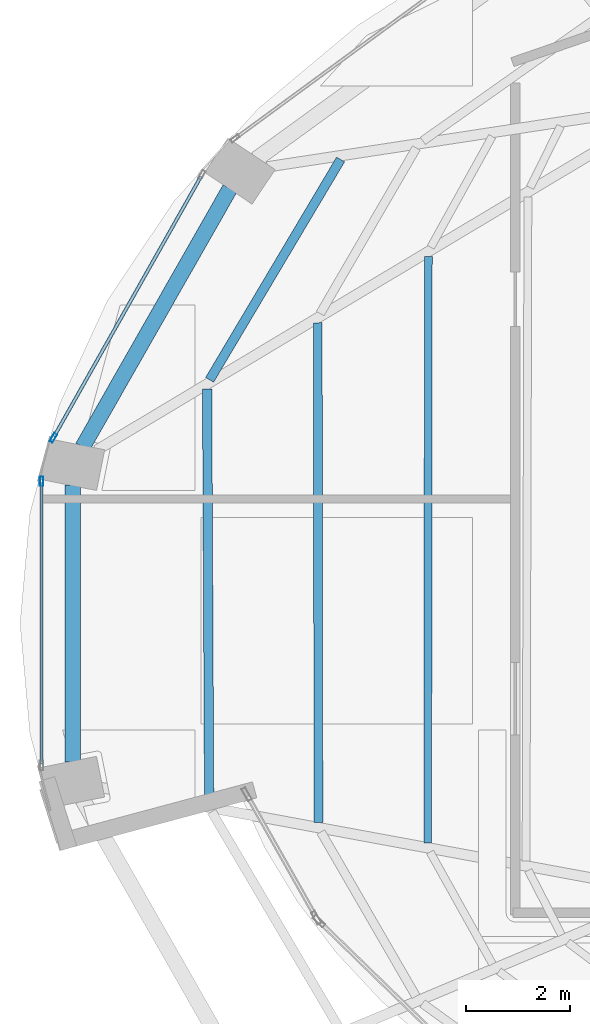
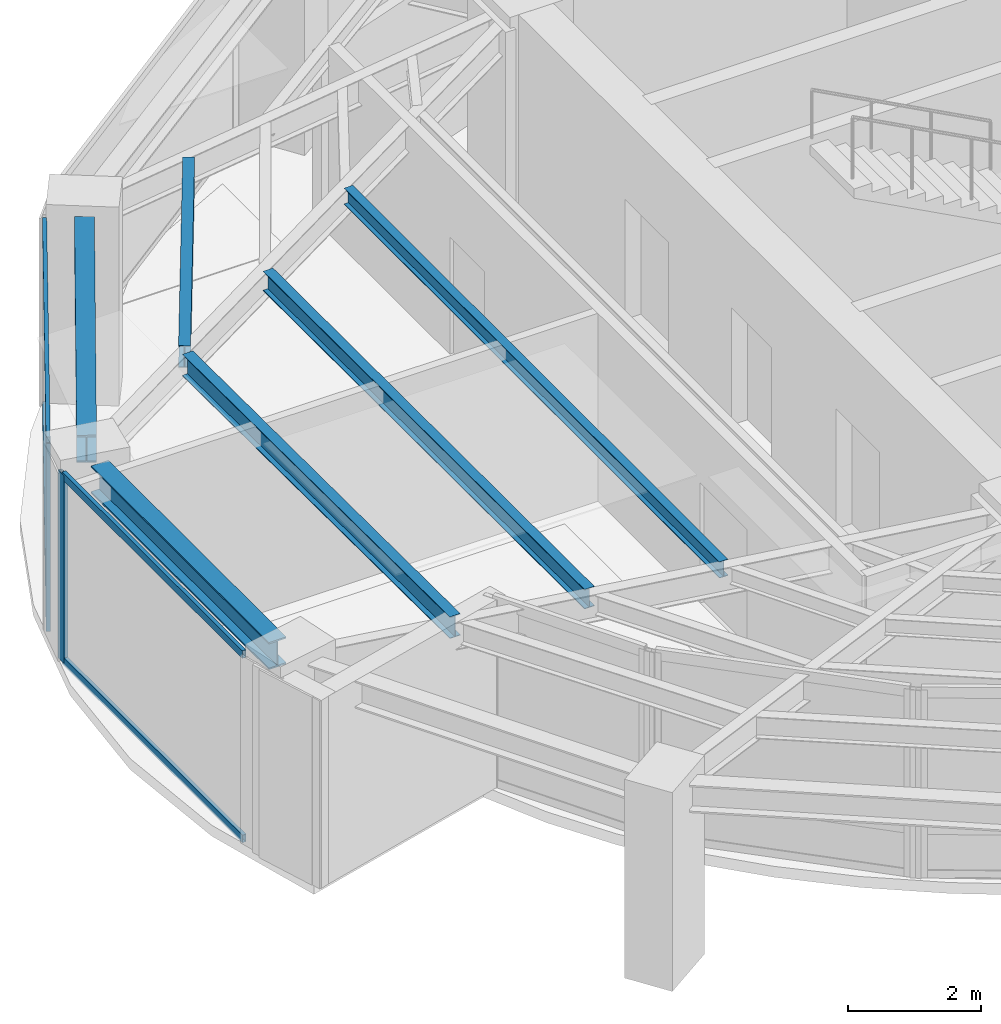
# One storey, part 7 of 22: 6 beams, 6 members, 2 elements without a shape of their own.
"""IFC4 building model written with IfcOpenShell, lengths in metres."""

from ifc_helpers import new_model, si_unit, direction, frame, origin, origin_2d, place, context, subcontext, project, spatial, hollow_rectangle, i_section, extrude, material, layer, layer_set, material_profile, profile_set, type_object, element, aggregate, save


model = new_model("IFC4")

# Units and contexts
model_context = context("Model", 3, precision=1e-05, world=origin(), true_north=direction((0.0, 1.0)))
body_context = subcontext(model_context, "Body", "Model", "MODEL_VIEW")
ifc_project = project(units=[si_unit("LENGTHUNIT", "METRE"), si_unit("AREAUNIT", "SQUARE_METRE"), si_unit("VOLUMEUNIT", "CUBIC_METRE"), si_unit("PLANEANGLEUNIT", "RADIAN"), si_unit("MASSUNIT", "GRAM", prefix="KILO")], contexts=[model_context])

# Site, building, storey
site_placement = place(None, origin())
site = spatial("IfcSite", under=ifc_project, at=site_placement, CompositionType="ELEMENT")
building_placement = place(site_placement, origin())
building = spatial("IfcBuilding", under=site, at=building_placement, Name="Lazwardi Medical Tower", CompositionType="ELEMENT")
storey_placement = place(building_placement, frame((0.0, 0.0, 224.01611328125)))
storey = spatial("IfcBuildingStorey", under=building, at=storey_placement, Name="L58", CompositionType="ELEMENT", Elevation=224.01611328125)

# Beams
ifc_material_1 = material(Name="Steel S355", Category="steel")
ifc_material_profile_1 = material_profile(ifc_material_1, i_section(OverallWidth=0.300048828125, OverallDepth=0.5, WebThickness=0.014404296875, FlangeThickness=0.028076171875, at=origin_2d()), Name="HEB 500")
ifc_profile_set_1 = profile_set([ifc_material_profile_1], Name="Steel S355")
beam_type_1 = type_object("IfcBeamType", Name="BM-RB-Z4", PredefinedType="BEAM", material=ifc_profile_set_1)
beam_1_placement = place(storey_placement, frame((17.84716796875, 33.983642578125, 3.197998046875), z_axis=(-0.495125273299, -0.868821594886, 0.0), x_axis=(0.868821594886, -0.495125273299, 0.0)))
element("IfcBeam", 1, at=beam_1_placement, inside=storey, type_object=beam_type_1, Name="Ring beam RB-05 B11 L58", PredefinedType="BEAM", context=body_context, shape_type="SweptSolid", body=[
    extrude(i_section(OverallWidth=0.300048828125, OverallDepth=0.5, WebThickness=0.014404296875, FlangeThickness=0.028076171875, at=origin_2d()), origin(), (0.0, 0.0, 1.0), 5.734130859375),
])
beam_2_placement = place(storey_placement, frame((14.81494140625, 28.27294921875, 3.197998046875), z_axis=(0.0, -1.0, 0.0), x_axis=(1.0, 0.0, 0.0)))
element("IfcBeam", 2, at=beam_2_placement, inside=storey, type_object=beam_type_1, Name="Ring beam RB-05 B12 L58", PredefinedType="BEAM", context=body_context, shape_type="SweptSolid", body=[
    extrude(i_section(OverallWidth=0.300048828125, OverallDepth=0.5, WebThickness=0.014404296875, FlangeThickness=0.028076171875, at=origin_2d()), origin(), (0.0, 0.0, 1.0), 5.345947265625),
])
ifc_material_profile_2 = material_profile(ifc_material_1, i_section(OverallWidth=0.179931640625, OverallDepth=0.39990234375, WebThickness=0.008544921875, FlangeThickness=0.013427734375, at=origin_2d()), Name="IPE 400")
ifc_profile_set_2 = profile_set([ifc_material_profile_2], Name="Steel S355")
beam_type_2 = type_object("IfcBeamType", Name="BM-SJ-01", PredefinedType="JOIST", material=ifc_profile_set_2)
beam_3_placement = place(storey_placement, frame((19.98095703125, 34.544921875, 3.247802734375), z_axis=(-0.510967866251, -0.859599813668, 0.0), x_axis=(0.859599813668, -0.510967866251, 0.0)))
element("IfcBeam", 3, at=beam_3_placement, inside=storey, type_object=beam_type_2, Name="Secondary joist SJ-01 R1 B11 L58", PredefinedType="JOIST", context=body_context, shape_type="SweptSolid", body=[
    extrude(i_section(OverallWidth=0.179931640625, OverallDepth=0.39990234375, WebThickness=0.008544921875, FlangeThickness=0.013427734375, at=origin_2d()), origin(), (0.0, 0.0, 1.0), 4.94189453125),
])
beam_4_placement = place(storey_placement, frame((17.407958984375, 30.120361328125, 3.247802734375), z_axis=(0.004929366644, -0.999987850598, 0.0), x_axis=(0.999987850598, 0.004929366644, 0.0)))
element("IfcBeam", 4, at=beam_4_placement, inside=storey, type_object=beam_type_2, Name="Secondary joist SJ-01 R1 B12 L58", PredefinedType="JOIST", context=body_context, shape_type="SweptSolid", body=[
    extrude(i_section(OverallWidth=0.179931640625, OverallDepth=0.39990234375, WebThickness=0.008544921875, FlangeThickness=0.013427734375, at=origin_2d()), origin(), (0.0, 0.0, 1.0), 7.973876953125),
])
ifc_material_profile_3 = material_profile(ifc_material_1, i_section(OverallWidth=0.169921875, OverallDepth=0.360107421875, WebThickness=0.008056640625, FlangeThickness=0.0126953125, at=origin_2d()), Name="IPE 360")
ifc_profile_set_3 = profile_set([ifc_material_profile_3], Name="Steel S355")
beam_type_3 = type_object("IfcBeamType", Name="BM-SJ-02", PredefinedType="JOIST", material=ifc_profile_set_3)
beam_5_placement = place(storey_placement, frame((19.541015625, 31.397705078125, 3.267822265625), z_axis=(0.001367606673, -0.999999064826, 0.0), x_axis=(0.999999064826, 0.001367606673, 0.0)))
element("IfcBeam", 5, at=beam_5_placement, inside=storey, type_object=beam_type_3, Name="Secondary joist SJ-02 R2 B12 L58", PredefinedType="JOIST", context=body_context, shape_type="SweptSolid", body=[
    extrude(i_section(OverallWidth=0.169921875, OverallDepth=0.360107421875, WebThickness=0.008056640625, FlangeThickness=0.0126953125, at=origin_2d()), origin(), (0.0, 0.0, 1.0), 9.639892578125),
])
ifc_material_profile_4 = material_profile(ifc_material_1, i_section(OverallWidth=0.14990234375, OverallDepth=0.300048828125, WebThickness=0.007080078125, FlangeThickness=0.0107421875, at=origin_2d()), Name="IPE 300")
ifc_profile_set_4 = profile_set([ifc_material_profile_4], Name="Steel S355")
beam_type_4 = type_object("IfcBeamType", Name="BM-SJ-03", PredefinedType="JOIST", material=ifc_profile_set_4)
beam_6_placement = place(storey_placement, frame((21.674072265625, 32.67529296875, 3.2978515625), z_axis=(-0.001166079235, -0.999999320129, 0.0), x_axis=(0.999999320129, -0.001166079235, 0.0)))
element("IfcBeam", 6, at=beam_6_placement, inside=storey, type_object=beam_type_4, Name="Secondary joist SJ-03 R3 B12 L58", PredefinedType="JOIST", context=body_context, shape_type="SweptSolid", body=[
    extrude(i_section(OverallWidth=0.14990234375, OverallDepth=0.300048828125, WebThickness=0.007080078125, FlangeThickness=0.0107421875, at=origin_2d()), origin(), (0.0, 0.0, 1.0), 11.305908203125),
])

# Curtain wall, member
ifc_material_2 = material(Name="Anodised bronze aluminium and solar control glazing", Category="aluminium")
ifc_layer = layer(ifc_material_2, 0.18994140625)
ifc_layer_set = layer_set([ifc_layer], Name="Anodised bronze aluminium and solar control glazing")
curtain_wall_type = type_object("IfcCurtainWallType", Name="CW-SYS-04", PredefinedType="NOTDEFINED", material=ifc_layer_set)
curtain_wall_1_placement = place(storey_placement, origin())
curtain_wall_1 = element("IfcCurtainWall", 7, at=curtain_wall_1_placement, inside=storey, type_object=curtain_wall_type, Name="L58 Unitised bronze curtain wall CW-04", PredefinedType="NOTDEFINED")
ifc_material_3 = material(Name="Anodised bronze aluminium", Category="aluminium")
ifc_material_profile_5 = material_profile(ifc_material_3, hollow_rectangle(XDim=0.06494140625, YDim=0.179931640625, WallThickness=0.00390625, at=origin_2d()), Name="ALU-MULLION 180x65x4")
ifc_profile_set_5 = profile_set([ifc_material_profile_5], Name="Anodised bronze aluminium")
member_type_1 = type_object("IfcMemberType", Name="CW-MUL-03", PredefinedType="MULLION", material=ifc_profile_set_5)
member_1_placement = place(storey_placement, frame((14.442626953125, 29.17822265625, 0.0), z_axis=(0.0, 0.0, 1.0), x_axis=(0.870651436011, -0.491900474661, 0.0)))
member_1 = element("IfcMember", 8, at=member_1_placement, type_object=member_type_1, Name="CW-04 mullion 2", PredefinedType="MULLION", context=body_context, shape_type="SweptSolid", body=[
    extrude(hollow_rectangle(XDim=0.06494140625, YDim=0.179931640625, WallThickness=0.00390625, at=origin_2d()), origin(), (0.0, 0.0, 1.0), 3.447998046875),
])

curtain_wall_2_placement = place(storey_placement, origin())
curtain_wall_2 = element("IfcCurtainWall", 9, at=curtain_wall_2_placement, inside=storey, type_object=curtain_wall_type, Name="L58 Unitised bronze curtain wall CW-04", PredefinedType="NOTDEFINED")
member_2_placement = place(storey_placement, frame((14.2158203125, 28.340576171875, 0.0), z_axis=(0.0, 0.0, 1.0), x_axis=(1.0, 0.0, 0.0)))
member_2 = element("IfcMember", 10, at=member_2_placement, type_object=member_type_1, Name="CW-04 mullion 1", PredefinedType="MULLION", context=body_context, shape_type="SweptSolid", body=[
    extrude(hollow_rectangle(XDim=0.06494140625, YDim=0.179931640625, WallThickness=0.00390625, at=origin_2d()), origin(), (0.0, 0.0, 1.0), 3.447998046875),
])

# Member
ifc_material_profile_6 = material_profile(ifc_material_3, hollow_rectangle(XDim=0.06494140625, YDim=0.139892578125, WallThickness=0.00341796875, at=origin_2d()), Name="ALU-TRANSOM 140x65x3.5")
ifc_profile_set_6 = profile_set([ifc_material_profile_6], Name="Anodised bronze aluminium")
member_type_2 = type_object("IfcMemberType", Name="CW-TRN-03", PredefinedType="USERDEFINED", material=ifc_profile_set_6)
member_3_placement = place(storey_placement, frame((17.28955078125, 34.21728515625, 0.032470703125), z_axis=(-0.491879719484, -0.87066316194, 0.0), x_axis=(0.87066316194, -0.491879719484, 0.0)))
member_3 = element("IfcMember", 11, at=member_3_placement, type_object=member_type_2, Name="CW-04 transom 1.1", ObjectType="TRANSOM", PredefinedType="USERDEFINED", context=body_context, shape_type="SweptSolid", body=[
    extrude(hollow_rectangle(XDim=0.06494140625, YDim=0.139892578125, WallThickness=0.00341796875, at=origin_2d()), origin(), (0.0, 0.0, 1.0), 5.755126953125),
])

member_4_placement = place(storey_placement, frame((17.28955078125, 34.21728515625, 3.415283203125), z_axis=(-0.491879719484, -0.87066316194, 0.0), x_axis=(0.87066316194, -0.491879719484, 0.0)))
member_4 = element("IfcMember", 12, at=member_4_placement, type_object=member_type_2, Name="CW-04 transom 1.2", ObjectType="TRANSOM", PredefinedType="USERDEFINED", context=body_context, shape_type="SweptSolid", body=[
    extrude(hollow_rectangle(XDim=0.06494140625, YDim=0.139892578125, WallThickness=0.00341796875, at=origin_2d()), origin(), (0.0, 0.0, 1.0), 5.755126953125),
])

aggregate(curtain_wall_1, [member_1, member_3, member_4])

member_5_placement = place(storey_placement, frame((14.2158203125, 28.30810546875, 0.032470703125), z_axis=(0.0, -1.0, 0.0), x_axis=(1.0, 0.0, 0.0)))
member_5 = element("IfcMember", 13, at=member_5_placement, type_object=member_type_2, Name="CW-04 transom 1.1", ObjectType="TRANSOM", PredefinedType="USERDEFINED", context=body_context, shape_type="SweptSolid", body=[
    extrude(hollow_rectangle(XDim=0.06494140625, YDim=0.139892578125, WallThickness=0.00341796875, at=origin_2d()), origin(), (0.0, 0.0, 1.0), 5.416015625),
])

member_6_placement = place(storey_placement, frame((14.2158203125, 28.30810546875, 3.415283203125), z_axis=(0.0, -1.0, 0.0), x_axis=(1.0, 0.0, 0.0)))
member_6 = element("IfcMember", 14, at=member_6_placement, type_object=member_type_2, Name="CW-04 transom 1.2", ObjectType="TRANSOM", PredefinedType="USERDEFINED", context=body_context, shape_type="SweptSolid", body=[
    extrude(hollow_rectangle(XDim=0.06494140625, YDim=0.139892578125, WallThickness=0.00341796875, at=origin_2d()), origin(), (0.0, 0.0, 1.0), 5.416015625),
])

aggregate(curtain_wall_2, [member_2, member_5, member_6])

save(model, "model.ifc")
